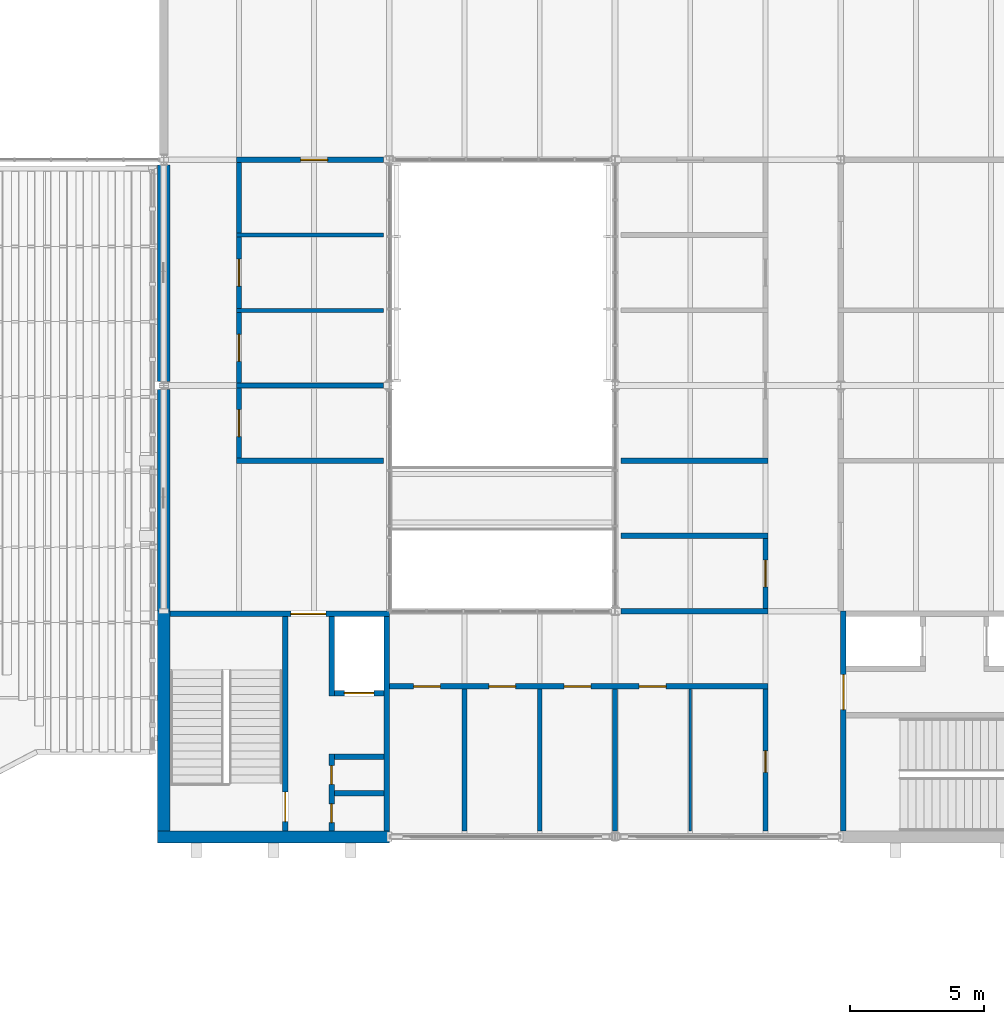
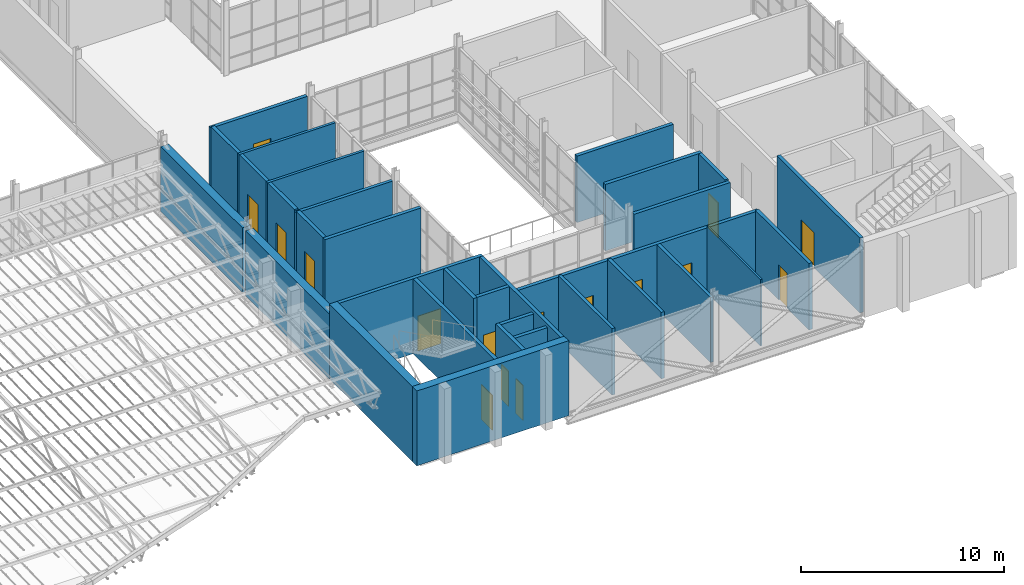
# One storey, part 88 of 129: 32 walls, 16 doors, 16 openings.
"""IFC4 building model written with IfcOpenShell, lengths in metres."""

from ifc_helpers import new_model, si_unit, direction, frame, frame_2d, origin, place, context, subcontext, project, spatial, rectangle, extrude, material, layer, layer_set, type_object, element, fill, save


model = new_model("IFC4")

# Units and contexts
model_context = context("Model", 3, precision=1e-05, world=origin(), true_north=direction((0.0, 1.0)))
body_context = subcontext(model_context, "Body", "Model", "MODEL_VIEW")
ifc_project = project(units=[si_unit("LENGTHUNIT", "METRE"), si_unit("AREAUNIT", "SQUARE_METRE"), si_unit("VOLUMEUNIT", "CUBIC_METRE"), si_unit("PLANEANGLEUNIT", "RADIAN"), si_unit("MASSUNIT", "GRAM", prefix="KILO")], contexts=[model_context])

# Site, building, storey
site_placement = place(None, origin())
site = spatial("IfcSite", under=ifc_project, at=site_placement, CompositionType="ELEMENT")
building_placement = place(site_placement, origin())
building = spatial("IfcBuilding", under=site, at=building_placement, Name="Ardhachandra Cancer Care Centre", CompositionType="ELEMENT")
storey_placement = place(building_placement, frame((0.0, 0.0, 4.5)))
storey = spatial("IfcBuildingStorey", under=building, at=storey_placement, Name="L01", CompositionType="ELEMENT", Elevation=4.5)

# Walls
ifc_material_1 = material(Name="Double-stud gypsum board partition with mineral wool")
ifc_layer_1 = layer(ifc_material_1, 0.179931640625)
ifc_layer_set_1 = layer_set([ifc_layer_1], Name="Double-stud gypsum board partition with mineral wool")
wall_type_1 = type_object("IfcWallType", Name="ACOUSTIC PARTITION 180", PredefinedType="PARTITIONING", material=ifc_layer_set_1)
wall_1_placement = place(storey_placement, frame((114.300048828125, 46.199951171875, 0.0), z_axis=(0.0, 0.0, 1.0), x_axis=(1.0, 0.0, 0.0)))
element("IfcWall", 1, at=wall_1_placement, inside=storey, type_object=wall_type_1, Name="R/wall/L01/h0046200_0114300", PredefinedType="PARTITIONING", context=body_context, shape_type="SweptSolid", body=[
    extrude(rectangle(XDim=5.474853515625, YDim=0.179931640625, at=frame_2d((2.7373046875, 0.0))), origin(), (0.0, 0.0, 1.0), 3.89990234375),
])
for number, where, z_axis, x_axis, name in (
    (2, (122.800048828125, 29.625, 0.0), (0.0, 0.0, 1.0), (0.0, 1.0, 0.0), "R/wall/L01/v0122800_0029625"),
    (3, (125.60009765625, 29.625, 0.0), (0.0, 0.0, 1.0), (0.0, 1.0, 0.0), "R/wall/L01/v0125600_0029625"),
):
    element("IfcWall", number, at=place(storey_placement, frame(where, z_axis=z_axis, x_axis=x_axis)), inside=storey, type_object=wall_type_1, Name=name, PredefinedType="PARTITIONING", context=body_context, shape_type="SweptSolid", body=[
        extrude(rectangle(XDim=5.27490234375, YDim=0.179931640625, at=frame_2d((2.637451171875, 0.0))), origin(), (0.0, 0.0, 1.0), 3.99609375),
    ])
wall_2_placement = place(storey_placement, frame((128.39990234375, 29.625, 0.0), z_axis=(0.0, 0.0, 1.0), x_axis=(0.0, 1.0, 0.0)))
element("IfcWall", 4, at=wall_2_placement, inside=storey, type_object=wall_type_1, Name="R/wall/L01/v0128400_0029625", PredefinedType="PARTITIONING", context=body_context, shape_type="SweptSolid", body=[
    extrude(rectangle(XDim=5.27490234375, YDim=0.179931640625, at=frame_2d((2.637451171875, 0.0))), origin(), (0.0, 0.0, 1.0), 3.89990234375),
])
ifc_material_2 = material(Name="Brick masonry (clay brick, cement mortar) with mineral wool cavity insulation", Category="masonry")
ifc_layer_2 = layer(ifc_material_2, 0.449951171875)
ifc_layer_set_2 = layer_set([ifc_layer_2], Name="Brick masonry (clay brick, cement mortar) with mineral wool cavity insulation")
wall_type_2 = type_object("IfcWallType", Name="Brick wall 450", PredefinedType="SOLIDWALL", material=ifc_layer_set_2)
wall_3_placement = place(storey_placement, frame((111.60009765625, 37.800048828125, 0.0), z_axis=(0.0, 0.0, 1.0), x_axis=(0.0, 1.0, 0.0)))
element("IfcWall", 5, at=wall_3_placement, inside=storey, type_object=wall_type_2, Name="E/wall/L01/w/0111600_0037800", PredefinedType="SOLIDWALL", context=body_context, shape_type="SweptSolid", body=[
    extrude(rectangle(XDim=8.2548828125, YDim=0.449951171875, at=frame_2d((4.12744140625, 0.0))), origin(), (0.0, 0.0, 1.0), 3.885986328125),
])
wall_4_placement = place(storey_placement, frame((111.60009765625, 46.344970703125, 0.0), z_axis=(0.0, 0.0, 1.0), x_axis=(0.0, 1.0, 0.0)))
element("IfcWall", 6, at=wall_4_placement, inside=storey, type_object=wall_type_2, Name="E/wall/L01/w/0111600_0046200", PredefinedType="SOLIDWALL", context=body_context, shape_type="SweptSolid", body=[
    extrude(rectangle(XDim=8.054931640625, YDim=0.449951171875, at=frame_2d((4.02734375, 0.0))), origin(), (0.0, 0.0, 1.0), 3.885986328125),
])

# Wall, openings, doors
ifc_material_3 = material(Name="Gypsum board corridor partition on steel studs", Category="steel")
ifc_layer_3 = layer(ifc_material_3, 0.199951171875)
ifc_layer_set_3 = layer_set([ifc_layer_3], Name="Gypsum board corridor partition on steel studs")
wall_type_3 = type_object("IfcWallType", Name="CORRIDOR WALL 200", PredefinedType="PARTITIONING", material=ifc_layer_set_3)
wall_5_placement = place(storey_placement, frame((120.0, 35.0, 0.0), z_axis=(0.0, 0.0, 1.0), x_axis=(1.0, 0.0, 0.0)))
wall_5 = element("IfcWall", 7, at=wall_5_placement, inside=storey, type_object=wall_type_3, Name="R/wall/L01/h0035000_0120000", PredefinedType="PARTITIONING", context=body_context, shape_type="SweptSolid", body=[
    extrude(rectangle(XDim=14.10009765625, YDim=0.199951171875, at=frame_2d((7.050048828125, 0.0))), origin(), (0.0, 0.0, 1.0), 3.89990234375),
])
opening_1_placement = place(wall_5_placement, frame((0.89990234375, 0.0, 0.0)))
opening_1 = element("IfcOpeningElement", 8, at=opening_1_placement, cuts=wall_5, Name="Opening L01-0001", PredefinedType="OPENING", context=body_context, shape_type="SweptSolid", body=[
    extrude(rectangle(XDim=1.0, YDim=2.10009765625, at=frame_2d((0.5, 1.050048828125))), frame((0.0, 0.10986328125, 0.0), z_axis=(0.0, -1.0, 0.0), x_axis=(1.0, 0.0, 0.0)), (0.0, 0.0, 1.0), 0.219970703125),
])
opening_2_placement = place(wall_5_placement, frame((3.699951171875, 0.0, 0.0)))
opening_2 = element("IfcOpeningElement", 9, at=opening_2_placement, cuts=wall_5, Name="Opening L01-0002", PredefinedType="OPENING", context=body_context, shape_type="SweptSolid", body=[
    extrude(rectangle(XDim=1.0, YDim=2.10009765625, at=frame_2d((0.5, 1.050048828125))), frame((0.0, 0.10986328125, 0.0), z_axis=(0.0, -1.0, 0.0), x_axis=(1.0, 0.0, 0.0)), (0.0, 0.0, 1.0), 0.219970703125),
])
opening_3_placement = place(wall_5_placement, frame((6.5, 0.0, 0.0)))
opening_3 = element("IfcOpeningElement", 10, at=opening_3_placement, cuts=wall_5, Name="Opening L01-0003", PredefinedType="OPENING", context=body_context, shape_type="SweptSolid", body=[
    extrude(rectangle(XDim=1.0, YDim=2.10009765625, at=frame_2d((0.5, 1.050048828125))), frame((0.0, 0.10986328125, 0.0), z_axis=(0.0, -1.0, 0.0), x_axis=(1.0, 0.0, 0.0)), (0.0, 0.0, 1.0), 0.219970703125),
])
opening_4_placement = place(wall_5_placement, frame((9.300048828125, 0.0, 0.0)))
opening_4 = element("IfcOpeningElement", 11, at=opening_4_placement, cuts=wall_5, Name="Opening L01-0004", PredefinedType="OPENING", context=body_context, shape_type="SweptSolid", body=[
    extrude(rectangle(XDim=1.0, YDim=2.10009765625, at=frame_2d((0.5, 1.050048828125))), frame((0.0, 0.10986328125, 0.0), z_axis=(0.0, -1.0, 0.0), x_axis=(1.0, 0.0, 0.0)), (0.0, 0.0, 1.0), 0.219970703125),
])
ifc_material_4 = material(Name="Timber fire door with smoke seals", Category="wood")
door_type_1 = type_object("IfcDoorType", Name="FIRE DOOR SINGLE 1000x2100 FD30S", OperationType="NOTDEFINED", PredefinedType="DOOR", material=ifc_material_4)
door_1_placement = place(opening_1_placement, origin())
door_1 = element("IfcDoor", 12, at=door_1_placement, inside=storey, type_object=door_type_1, Name="Door L01-0001", OperationType="SINGLE_SWING_LEFT", OverallHeight=2.10009765625, OverallWidth=1.0, PredefinedType="DOOR", context=body_context, shape_type="SweptSolid", body=[
    extrude(rectangle(XDim=1.0, YDim=2.10009765625, at=frame_2d((0.5, 1.050048828125))), frame((0.0, 0.02490234375, 0.0), z_axis=(0.0, -1.0, 0.0), x_axis=(1.0, 0.0, 0.0)), (0.0, 0.0, 1.0), 0.050048828125),
])
fill(opening_1, door_1)
door_2_placement = place(opening_2_placement, origin())
door_2 = element("IfcDoor", 13, at=door_2_placement, inside=storey, type_object=door_type_1, Name="Door L01-0002", OperationType="SINGLE_SWING_LEFT", OverallHeight=2.10009765625, OverallWidth=1.0, PredefinedType="DOOR", context=body_context, shape_type="SweptSolid", body=[
    extrude(rectangle(XDim=1.0, YDim=2.10009765625, at=frame_2d((0.5, 1.050048828125))), frame((0.0, 0.02490234375, 0.0), z_axis=(0.0, -1.0, 0.0), x_axis=(1.0, 0.0, 0.0)), (0.0, 0.0, 1.0), 0.050048828125),
])
fill(opening_2, door_2)
door_3_placement = place(opening_3_placement, origin())
door_3 = element("IfcDoor", 14, at=door_3_placement, inside=storey, type_object=door_type_1, Name="Door L01-0003", OperationType="SINGLE_SWING_LEFT", OverallHeight=2.10009765625, OverallWidth=1.0, PredefinedType="DOOR", context=body_context, shape_type="SweptSolid", body=[
    extrude(rectangle(XDim=1.0, YDim=2.10009765625, at=frame_2d((0.5, 1.050048828125))), frame((0.0, 0.02490234375, 0.0), z_axis=(0.0, -1.0, 0.0), x_axis=(1.0, 0.0, 0.0)), (0.0, 0.0, 1.0), 0.050048828125),
])
fill(opening_3, door_3)
door_4_placement = place(opening_4_placement, origin())
door_4 = element("IfcDoor", 15, at=door_4_placement, inside=storey, type_object=door_type_1, Name="Door L01-0004", OperationType="SINGLE_SWING_RIGHT", OverallHeight=2.10009765625, OverallWidth=1.0, PredefinedType="DOOR", context=body_context, shape_type="SweptSolid", body=[
    extrude(rectangle(XDim=1.0, YDim=2.10009765625, at=frame_2d((0.5, 1.050048828125))), frame((0.0, 0.02490234375, 0.0), z_axis=(0.0, -1.0, 0.0), x_axis=(1.0, 0.0, 0.0)), (0.0, 0.0, 1.0), 0.050048828125),
])
fill(opening_4, door_4)

# Walls
wall_6_placement = place(storey_placement, frame((128.625, 37.800048828125, 0.0), z_axis=(0.0, 0.0, 1.0), x_axis=(1.0, 0.0, 0.0)))
element("IfcWall", 16, at=wall_6_placement, inside=storey, type_object=wall_type_3, Name="R/wall/L01/h0037800_0128625", PredefinedType="PARTITIONING", context=body_context, shape_type="SweptSolid", body=[
    extrude(rectangle(XDim=5.47509765625, YDim=0.199951171875, at=frame_2d((2.737548828125, 0.0))), origin(), (0.0, 0.0, 1.0), 3.89990234375),
])
wall_7_placement = place(storey_placement, frame((128.625, 40.60009765625, 0.0), z_axis=(0.0, 0.0, 1.0), x_axis=(1.0, 0.0, 0.0)))
element("IfcWall", 17, at=wall_7_placement, inside=storey, type_object=wall_type_3, Name="R/wall/L01/h0040600_0128625", PredefinedType="PARTITIONING", context=body_context, shape_type="SweptSolid", body=[
    extrude(rectangle(XDim=5.47509765625, YDim=0.199951171875, at=frame_2d((2.737548828125, 0.0))), origin(), (0.0, 0.0, 1.0), 3.99609375),
])
wall_8_placement = place(storey_placement, frame((114.300048828125, 43.39990234375, 0.0), z_axis=(0.0, 0.0, 1.0), x_axis=(1.0, 0.0, 0.0)))
element("IfcWall", 18, at=wall_8_placement, inside=storey, type_object=wall_type_3, Name="R/wall/L01/h0043400_0114300", PredefinedType="PARTITIONING", context=body_context, shape_type="SweptSolid", body=[
    extrude(rectangle(XDim=5.474853515625, YDim=0.199951171875, at=frame_2d((2.7373046875, 0.0))), origin(), (0.0, 0.0, 1.0), 3.99609375),
])
wall_9_placement = place(storey_placement, frame((128.625, 43.39990234375, 0.0), z_axis=(0.0, 0.0, 1.0), x_axis=(1.0, 0.0, 0.0)))
element("IfcWall", 19, at=wall_9_placement, inside=storey, type_object=wall_type_3, Name="R/wall/L01/h0043400_0128625", PredefinedType="PARTITIONING", context=body_context, shape_type="SweptSolid", body=[
    extrude(rectangle(XDim=5.47509765625, YDim=0.199951171875, at=frame_2d((2.737548828125, 0.0))), origin(), (0.0, 0.0, 1.0), 3.99609375),
])

# Wall, opening, door
wall_10_placement = place(storey_placement, frame((114.300048828125, 54.60009765625, 0.0), z_axis=(0.0, 0.0, 1.0), x_axis=(1.0, 0.0, 0.0)))
wall_10 = element("IfcWall", 20, at=wall_10_placement, inside=storey, type_object=wall_type_3, Name="R/wall/L01/h0054600_0114300", PredefinedType="PARTITIONING", context=body_context, shape_type="SweptSolid", body=[
    extrude(rectangle(XDim=5.474853515625, YDim=0.199951171875, at=frame_2d((2.7373046875, 0.0))), origin(), (0.0, 0.0, 1.0), 3.89990234375),
])
opening_5_placement = place(wall_10_placement, frame((2.39990234375, 0.0, 0.0)))
opening_5 = element("IfcOpeningElement", 21, at=opening_5_placement, cuts=wall_10, Name="Opening L01-0005", PredefinedType="OPENING", context=body_context, shape_type="SweptSolid", body=[
    extrude(rectangle(XDim=1.0, YDim=2.10009765625, at=frame_2d((0.5, 1.050048828125))), frame((0.0, 0.10986328125, 0.0), z_axis=(0.0, -1.0, 0.0), x_axis=(1.0, 0.0, 0.0)), (0.0, 0.0, 1.0), 0.219970703125),
])
door_5_placement = place(opening_5_placement, origin())
door_5 = element("IfcDoor", 22, at=door_5_placement, inside=storey, type_object=door_type_1, Name="Door L01-0005", OperationType="SINGLE_SWING_LEFT", OverallHeight=2.10009765625, OverallWidth=1.0, PredefinedType="DOOR", context=body_context, shape_type="SweptSolid", body=[
    extrude(rectangle(XDim=1.0, YDim=2.10009765625, at=frame_2d((0.5, 1.050048828125))), frame((0.0, 0.02490234375, 0.0), z_axis=(0.0, -1.0, 0.0), x_axis=(1.0, 0.0, 0.0)), (0.0, 0.0, 1.0), 0.050048828125),
])
fill(opening_5, door_5)

wall_11_placement = place(storey_placement, frame((114.39990234375, 43.5, 0.0), z_axis=(0.0, 0.0, 1.0), x_axis=(0.0, 1.0, 0.0)))
wall_11 = element("IfcWall", 23, at=wall_11_placement, inside=storey, type_object=wall_type_3, Name="R/wall/L01/v0114400_0043500", PredefinedType="PARTITIONING", context=body_context, shape_type="SweptSolid", body=[
    extrude(rectangle(XDim=2.610107421875, YDim=0.199951171875, at=frame_2d((1.30517578125, 0.0))), origin(), (0.0, 0.0, 1.0), 3.99609375),
])
opening_6_placement = place(wall_11_placement, frame((0.800048828125, 0.0, 0.0)))
opening_6 = element("IfcOpeningElement", 24, at=opening_6_placement, cuts=wall_11, Name="Opening L01-0069", PredefinedType="OPENING", context=body_context, shape_type="SweptSolid", body=[
    extrude(rectangle(XDim=1.0, YDim=2.10009765625, at=frame_2d((0.5, 1.050048828125))), frame((0.0, 0.10986328125, 0.0), z_axis=(0.0, -1.0, 0.0), x_axis=(1.0, 0.0, 0.0)), (0.0, 0.0, 1.0), 0.219970703125),
])
door_6_placement = place(opening_6_placement, origin())
door_6 = element("IfcDoor", 25, at=door_6_placement, inside=storey, type_object=door_type_1, Name="Door L01-0069", OperationType="SINGLE_SWING_LEFT", OverallHeight=2.10009765625, OverallWidth=1.0, PredefinedType="DOOR", context=body_context, shape_type="SweptSolid", body=[
    extrude(rectangle(XDim=1.0, YDim=2.10009765625, at=frame_2d((0.5, 1.050048828125))), frame((0.0, 0.02490234375, 0.0), z_axis=(0.0, -1.0, 0.0), x_axis=(1.0, 0.0, 0.0)), (0.0, 0.0, 1.0), 0.050048828125),
])
fill(opening_6, door_6)

wall_12_placement = place(storey_placement, frame((114.39990234375, 46.2900390625, 0.0), z_axis=(0.0, 0.0, 1.0), x_axis=(0.0, 1.0, 0.0)))
wall_12 = element("IfcWall", 26, at=wall_12_placement, inside=storey, type_object=wall_type_3, Name="R/wall/L01/v0114400_0046290", PredefinedType="PARTITIONING", context=body_context, shape_type="SweptSolid", body=[
    extrude(rectangle(XDim=2.635009765625, YDim=0.199951171875, at=frame_2d((1.3173828125, 0.0))), origin(), (0.0, 0.0, 1.0), 3.99609375),
])
opening_7_placement = place(wall_12_placement, frame((0.81005859375, 0.0, 0.0)))
opening_7 = element("IfcOpeningElement", 27, at=opening_7_placement, cuts=wall_12, Name="Opening L01-0070", PredefinedType="OPENING", context=body_context, shape_type="SweptSolid", body=[
    extrude(rectangle(XDim=1.0, YDim=2.10009765625, at=frame_2d((0.5, 1.050048828125))), frame((0.0, 0.10986328125, 0.0), z_axis=(0.0, -1.0, 0.0), x_axis=(1.0, 0.0, 0.0)), (0.0, 0.0, 1.0), 0.219970703125),
])
door_7_placement = place(opening_7_placement, origin())
door_7 = element("IfcDoor", 28, at=door_7_placement, inside=storey, type_object=door_type_1, Name="Door L01-0070", OperationType="SINGLE_SWING_LEFT", OverallHeight=2.10009765625, OverallWidth=1.0, PredefinedType="DOOR", context=body_context, shape_type="SweptSolid", body=[
    extrude(rectangle(XDim=1.0, YDim=2.10009765625, at=frame_2d((0.5, 1.050048828125))), frame((0.0, 0.02490234375, 0.0), z_axis=(0.0, -1.0, 0.0), x_axis=(1.0, 0.0, 0.0)), (0.0, 0.0, 1.0), 0.050048828125),
])
fill(opening_7, door_7)

wall_13_placement = place(storey_placement, frame((114.39990234375, 49.074951171875, 0.0), z_axis=(0.0, 0.0, 1.0), x_axis=(0.0, 1.0, 0.0)))
wall_13 = element("IfcWall", 29, at=wall_13_placement, inside=storey, type_object=wall_type_3, Name="R/wall/L01/v0114400_0049075", PredefinedType="PARTITIONING", context=body_context, shape_type="SweptSolid", body=[
    extrude(rectangle(XDim=2.650146484375, YDim=0.199951171875, at=frame_2d((1.3251953125, 0.0))), origin(), (0.0, 0.0, 1.0), 3.99609375),
])
opening_8_placement = place(wall_13_placement, frame((0.824951171875, 0.0, 0.0)))
opening_8 = element("IfcOpeningElement", 30, at=opening_8_placement, cuts=wall_13, Name="Opening L01-0071", PredefinedType="OPENING", context=body_context, shape_type="SweptSolid", body=[
    extrude(rectangle(XDim=1.0, YDim=2.10009765625, at=frame_2d((0.5, 1.050048828125))), frame((0.0, 0.10986328125, 0.0), z_axis=(0.0, -1.0, 0.0), x_axis=(1.0, 0.0, 0.0)), (0.0, 0.0, 1.0), 0.219970703125),
])
door_8_placement = place(opening_8_placement, origin())
door_8 = element("IfcDoor", 31, at=door_8_placement, inside=storey, type_object=door_type_1, Name="Door L01-0071", OperationType="SINGLE_SWING_LEFT", OverallHeight=2.10009765625, OverallWidth=1.0, PredefinedType="DOOR", context=body_context, shape_type="SweptSolid", body=[
    extrude(rectangle(XDim=1.0, YDim=2.10009765625, at=frame_2d((0.5, 1.050048828125))), frame((0.0, 0.02490234375, 0.0), z_axis=(0.0, -1.0, 0.0), x_axis=(1.0, 0.0, 0.0)), (0.0, 0.0, 1.0), 0.050048828125),
])
fill(opening_8, door_8)

# Wall
wall_14_placement = place(storey_placement, frame((114.39990234375, 51.875, 0.0), z_axis=(0.0, 0.0, 1.0), x_axis=(0.0, 1.0, 0.0)))
element("IfcWall", 32, at=wall_14_placement, inside=storey, type_object=wall_type_3, Name="R/wall/L01/v0114400_0051875", PredefinedType="PARTITIONING", context=body_context, shape_type="SweptSolid", body=[
    extrude(rectangle(XDim=2.625, YDim=0.199951171875, at=frame_2d((1.3125, 0.0))), origin(), (0.0, 0.0, 1.0), 3.99609375),
])

# Wall, opening, door
wall_15_placement = place(storey_placement, frame((134.0, 29.625, 0.0), z_axis=(0.0, 0.0, 1.0), x_axis=(0.0, 1.0, 0.0)))
wall_15 = element("IfcWall", 33, at=wall_15_placement, inside=storey, type_object=wall_type_3, Name="R/wall/L01/v0134000_0029625", PredefinedType="PARTITIONING", context=body_context, shape_type="SweptSolid", body=[
    extrude(rectangle(XDim=5.27490234375, YDim=0.199951171875, at=frame_2d((2.637451171875, 0.0))), origin(), (0.0, 0.0, 1.0), 3.99609375),
])
opening_9_placement = place(wall_15_placement, frame((2.175048828125, 0.0, 0.0)))
opening_9 = element("IfcOpeningElement", 34, at=opening_9_placement, cuts=wall_15, Name="Opening L01-0077", PredefinedType="OPENING", context=body_context, shape_type="SweptSolid", body=[
    extrude(rectangle(XDim=0.800048828125, YDim=2.10009765625, at=frame_2d((0.39990234375, 1.050048828125))), frame((0.0, 0.10986328125, 0.0), z_axis=(0.0, -1.0, 0.0), x_axis=(1.0, 0.0, 0.0)), (0.0, 0.0, 1.0), 0.219970703125),
])
ifc_material_5 = material(Name="Timber flush fire door", Category="wood")
door_type_2 = type_object("IfcDoorType", Name="STORE DOOR 800x2100 FD30S", OperationType="NOTDEFINED", PredefinedType="DOOR", material=ifc_material_5)
door_9_placement = place(opening_9_placement, origin())
door_9 = element("IfcDoor", 35, at=door_9_placement, inside=storey, type_object=door_type_2, Name="Door L01-0077", OperationType="SINGLE_SWING_LEFT", OverallHeight=2.10009765625, OverallWidth=0.800048828125, PredefinedType="DOOR", context=body_context, shape_type="SweptSolid", body=[
    extrude(rectangle(XDim=0.800048828125, YDim=2.10009765625, at=frame_2d((0.39990234375, 1.050048828125))), frame((0.0, 0.02490234375, 0.0), z_axis=(0.0, -1.0, 0.0), x_axis=(1.0, 0.0, 0.0)), (0.0, 0.0, 1.0), 0.050048828125),
])
fill(opening_9, door_9)

wall_16_placement = place(storey_placement, frame((134.0, 37.89990234375, 0.0), z_axis=(0.0, 0.0, 1.0), x_axis=(0.0, 1.0, 0.0)))
wall_16 = element("IfcWall", 36, at=wall_16_placement, inside=storey, type_object=wall_type_3, Name="R/wall/L01/v0134000_0037900", PredefinedType="PARTITIONING", context=body_context, shape_type="SweptSolid", body=[
    extrude(rectangle(XDim=2.60009765625, YDim=0.199951171875, at=frame_2d((1.300048828125, 0.0))), origin(), (0.0, 0.0, 1.0), 3.99609375),
])
opening_10_placement = place(wall_16_placement, frame((0.800048828125, 0.0, 0.0)))
opening_10 = element("IfcOpeningElement", 37, at=opening_10_placement, cuts=wall_16, Name="Opening L01-0078", PredefinedType="OPENING", context=body_context, shape_type="SweptSolid", body=[
    extrude(rectangle(XDim=1.0, YDim=2.10009765625, at=frame_2d((0.5, 1.050048828125))), frame((0.0, 0.10986328125, 0.0), z_axis=(0.0, -1.0, 0.0), x_axis=(1.0, 0.0, 0.0)), (0.0, 0.0, 1.0), 0.219970703125),
])
door_10_placement = place(opening_10_placement, origin())
door_10 = element("IfcDoor", 38, at=door_10_placement, inside=storey, type_object=door_type_1, Name="Door L01-0078", OperationType="SINGLE_SWING_RIGHT", OverallHeight=2.10009765625, OverallWidth=1.0, PredefinedType="DOOR", context=body_context, shape_type="SweptSolid", body=[
    extrude(rectangle(XDim=1.0, YDim=2.10009765625, at=frame_2d((0.5, 1.050048828125))), frame((0.0, 0.02490234375, 0.0), z_axis=(0.0, -1.0, 0.0), x_axis=(1.0, 0.0, 0.0)), (0.0, 0.0, 1.0), 0.050048828125),
])
fill(opening_10, door_10)

# Walls
ifc_material_6 = material(Name="Concrete M40", Category="concrete")
ifc_layer_4 = layer(ifc_material_6, 0.449951171875)
ifc_layer_set_4 = layer_set([ifc_layer_4], Name="Concrete M40")
wall_type_4 = type_object("IfcWallType", Name="Core exterior wall RC 450", PredefinedType="SOLIDWALL", material=ifc_layer_set_4)
wall_17_placement = place(storey_placement, frame((111.375, 29.39990234375, 0.0), z_axis=(0.0, 0.0, 1.0), x_axis=(1.0, 0.0, 0.0)))
element("IfcWall", 39, at=wall_17_placement, inside=storey, type_object=wall_type_4, Name="Core wall K11 FAR", PredefinedType="SOLIDWALL", context=body_context, shape_type="SweptSolid", body=[
    extrude(rectangle(XDim=8.625, YDim=0.449951171875, at=frame_2d((4.3125, 0.0))), origin(), (0.0, 0.0, 1.0), 4.5),
])
wall_18_placement = place(storey_placement, frame((111.60009765625, 37.800048828125, 0.0), z_axis=(0.0, 0.0, 1.0), x_axis=(0.0, -1.0, 0.0)))
element("IfcWall", 40, at=wall_18_placement, inside=storey, type_object=wall_type_4, Name="Core wall K11 UW", PredefinedType="SOLIDWALL", context=body_context, shape_type="SweptSolid", body=[
    extrude(rectangle(XDim=8.175048828125, YDim=0.449951171875, at=frame_2d((4.08740234375, 0.0))), origin(), (0.0, 0.0, 1.0), 4.5),
])

# Wall, opening, door
ifc_material_7 = material(Name="Concrete M40", Category="concrete")
ifc_layer_5 = layer(ifc_material_7, 0.199951171875)
ifc_layer_set_5 = layer_set([ifc_layer_5], Name="Concrete M40")
wall_type_5 = type_object("IfcWallType", Name="Core wall RC 200", PredefinedType="SOLIDWALL", material=ifc_layer_set_5)
wall_19_placement = place(storey_placement, frame((136.89990234375, 29.625, 0.0), z_axis=(0.0, 0.0, 1.0), x_axis=(0.0, 1.0, 0.0)))
wall_19 = element("IfcWall", 41, at=wall_19_placement, inside=storey, type_object=wall_type_5, Name="Core wall K9 ENT", PredefinedType="SOLIDWALL", context=body_context, shape_type="SweptSolid", body=[
    extrude(rectangle(XDim=8.175048828125, YDim=0.199951171875, at=frame_2d((4.08740234375, 0.0))), origin(), (0.0, 0.0, 1.0), 4.5),
])
opening_11_placement = place(wall_19_placement, frame((4.512451171875, 0.0, 0.0)))
opening_11 = element("IfcOpeningElement", 42, at=opening_11_placement, cuts=wall_19, Name="Opening L01-K09-1", PredefinedType="OPENING", context=body_context, shape_type="SweptSolid", body=[
    extrude(rectangle(XDim=1.300048828125, YDim=2.10009765625, at=frame_2d((0.64990234375, 1.050048828125))), frame((0.0, 0.10986328125, 0.0), z_axis=(0.0, -1.0, 0.0), x_axis=(1.0, 0.0, 0.0)), (0.0, 0.0, 1.0), 0.219970703125),
])
ifc_material_8 = material(Name="Steel door set", Category="steel")
door_type_3 = type_object("IfcDoorType", Name="Core entry double door 1300x2100 FD60", OperationType="DOUBLE_DOOR_DOUBLE_SWING", PredefinedType="DOOR", material=ifc_material_8)
door_11_placement = place(opening_11_placement, origin())
door_11 = element("IfcDoor", 43, at=door_11_placement, inside=storey, type_object=door_type_3, Name="Core entry door", OperationType="DOUBLE_DOOR_DOUBLE_SWING", OverallHeight=2.10009765625, OverallWidth=1.300048828125, PredefinedType="DOOR", context=body_context, shape_type="SweptSolid", body=[
    extrude(rectangle(XDim=1.300048828125, YDim=2.10009765625, at=frame_2d((0.64990234375, 1.050048828125))), frame((0.0, 0.02490234375, 0.0), z_axis=(0.0, -1.0, 0.0), x_axis=(1.0, 0.0, 0.0)), (0.0, 0.0, 1.0), 0.050048828125),
])
fill(opening_11, door_11)

wall_20_placement = place(storey_placement, frame((111.824951171875, 37.699951171875, 0.0), z_axis=(0.0, 0.0, 1.0), x_axis=(1.0, 0.0, 0.0)))
wall_20 = element("IfcWall", 44, at=wall_20_placement, inside=storey, type_object=wall_type_5, Name="Core wall K11 ENT", PredefinedType="SOLIDWALL", context=body_context, shape_type="SweptSolid", body=[
    extrude(rectangle(XDim=8.175048828125, YDim=0.199951171875, at=frame_2d((4.08740234375, 0.0))), origin(), (0.0, 0.0, 1.0), 4.5),
])
opening_12_placement = place(wall_20_placement, frame((4.512451171875, 0.0, 0.0)))
opening_12 = element("IfcOpeningElement", 45, at=opening_12_placement, cuts=wall_20, Name="Opening L01-K11-1", PredefinedType="OPENING", context=body_context, shape_type="SweptSolid", body=[
    extrude(rectangle(XDim=1.300048828125, YDim=2.10009765625, at=frame_2d((0.64990234375, 1.050048828125))), frame((0.0, 0.10986328125, 0.0), z_axis=(0.0, -1.0, 0.0), x_axis=(1.0, 0.0, 0.0)), (0.0, 0.0, 1.0), 0.219970703125),
])
door_12_placement = place(opening_12_placement, origin())
door_12 = element("IfcDoor", 46, at=door_12_placement, inside=storey, type_object=door_type_3, Name="Core entry door", OperationType="DOUBLE_DOOR_DOUBLE_SWING", OverallHeight=2.10009765625, OverallWidth=1.300048828125, PredefinedType="DOOR", context=body_context, shape_type="SweptSolid", body=[
    extrude(rectangle(XDim=1.300048828125, YDim=2.10009765625, at=frame_2d((0.64990234375, 1.050048828125))), frame((0.0, 0.02490234375, 0.0), z_axis=(0.0, -1.0, 0.0), x_axis=(1.0, 0.0, 0.0)), (0.0, 0.0, 1.0), 0.050048828125),
])
fill(opening_12, door_12)

# Wall
wall_21_placement = place(storey_placement, frame((119.89990234375, 37.60009765625, 0.0), z_axis=(0.0, 0.0, 1.0), x_axis=(0.0, -1.0, 0.0)))
element("IfcWall", 47, at=wall_21_placement, inside=storey, type_object=wall_type_5, Name="Core wall K11 UE", PredefinedType="SOLIDWALL", context=body_context, shape_type="SweptSolid", body=[
    extrude(rectangle(XDim=7.97509765625, YDim=0.199951171875, at=frame_2d((3.987548828125, 0.0))), origin(), (0.0, 0.0, 1.0), 4.5),
])

# Wall, opening, door
wall_22_placement = place(storey_placement, frame((116.125, 37.60009765625, 0.0), z_axis=(0.0, 0.0, 1.0), x_axis=(0.0, -1.0, 0.0)))
wall_22 = element("IfcWall", 48, at=wall_22_placement, inside=storey, type_object=wall_type_5, Name="Core wall K11 P1", PredefinedType="SOLIDWALL", context=body_context, shape_type="SweptSolid", body=[
    extrude(rectangle(XDim=7.97509765625, YDim=0.199951171875, at=frame_2d((3.987548828125, 0.0))), origin(), (0.0, 0.0, 1.0), 4.5),
])
opening_13_placement = place(wall_22_placement, frame((6.53759765625, 0.0, 0.0)))
opening_13 = element("IfcOpeningElement", 49, at=opening_13_placement, cuts=wall_22, Name="Opening L01-K11-2", PredefinedType="OPENING", context=body_context, shape_type="SweptSolid", body=[
    extrude(rectangle(XDim=1.10009765625, YDim=2.10009765625, at=frame_2d((0.550048828125, 1.050048828125))), frame((0.0, 0.10986328125, 0.0), z_axis=(0.0, -1.0, 0.0), x_axis=(1.0, 0.0, 0.0)), (0.0, 0.0, 1.0), 0.219970703125),
])
ifc_material_9 = material(Name="Steel door set", Category="steel")
door_type_4 = type_object("IfcDoorType", Name="Stair door 1100x2100 FD60S", OperationType="NOTDEFINED", PredefinedType="DOOR", material=ifc_material_9)
door_13_placement = place(opening_13_placement, origin())
door_13 = element("IfcDoor", 50, at=door_13_placement, inside=storey, type_object=door_type_4, Name="Stair door", OperationType="SINGLE_SWING_LEFT", OverallHeight=2.10009765625, OverallWidth=1.10009765625, PredefinedType="DOOR", context=body_context, shape_type="SweptSolid", body=[
    extrude(rectangle(XDim=1.10009765625, YDim=2.10009765625, at=frame_2d((0.550048828125, 1.050048828125))), frame((0.0, 0.02490234375, 0.0), z_axis=(0.0, -1.0, 0.0), x_axis=(1.0, 0.0, 0.0)), (0.0, 0.0, 1.0), 0.050048828125),
])
fill(opening_13, door_13)

# Wall
wall_23_placement = place(storey_placement, frame((117.85009765625, 37.60009765625, 0.0), z_axis=(0.0, 0.0, 1.0), x_axis=(0.0, -1.0, 0.0)))
element("IfcWall", 51, at=wall_23_placement, inside=storey, type_object=wall_type_5, Name="Core wall K11 P2A", PredefinedType="SOLIDWALL", context=body_context, shape_type="SweptSolid", body=[
    extrude(rectangle(XDim=2.9501953125, YDim=0.199951171875, at=frame_2d((1.47509765625, 0.0))), origin(), (0.0, 0.0, 1.0), 4.5),
])

# Wall, openings, doors
wall_24_placement = place(storey_placement, frame((117.85009765625, 32.47509765625, 0.0), z_axis=(0.0, 0.0, 1.0), x_axis=(0.0, -1.0, 0.0)))
wall_24 = element("IfcWall", 52, at=wall_24_placement, inside=storey, type_object=wall_type_5, Name="Core wall K11 P2B", PredefinedType="SOLIDWALL", context=body_context, shape_type="SweptSolid", body=[
    extrude(rectangle(XDim=2.85009765625, YDim=0.199951171875, at=frame_2d((1.425048828125, 0.0))), origin(), (0.0, 0.0, 1.0), 4.300048828125),
])
opening_14_placement = place(wall_24_placement, frame((0.425048828125, 0.0, 0.0)))
opening_14 = element("IfcOpeningElement", 53, at=opening_14_placement, cuts=wall_24, Name="Opening L01-K11-4", PredefinedType="OPENING", context=body_context, shape_type="SweptSolid", body=[
    extrude(rectangle(XDim=0.699951171875, YDim=2.10009765625, at=frame_2d((0.35009765625, 1.050048828125))), frame((0.0, 0.10986328125, 0.0), z_axis=(0.0, -1.0, 0.0), x_axis=(1.0, 0.0, 0.0)), (0.0, 0.0, 1.0), 0.219970703125),
])
opening_15_placement = place(wall_24_placement, frame((1.85009765625, 0.0, 0.0)))
opening_15 = element("IfcOpeningElement", 54, at=opening_15_placement, cuts=wall_24, Name="Opening L01-K11-5", PredefinedType="OPENING", context=body_context, shape_type="SweptSolid", body=[
    extrude(rectangle(XDim=0.699951171875, YDim=2.10009765625, at=frame_2d((0.35009765625, 1.050048828125))), frame((0.0, 0.10986328125, 0.0), z_axis=(0.0, -1.0, 0.0), x_axis=(1.0, 0.0, 0.0)), (0.0, 0.0, 1.0), 0.219970703125),
])
ifc_material_10 = material(Name="Steel door set", Category="steel")
door_type_5 = type_object("IfcDoorType", Name="Riser access door 700x2100 FD120S", OperationType="NOTDEFINED", PredefinedType="DOOR", material=ifc_material_10)
door_14_placement = place(opening_14_placement, origin())
door_14 = element("IfcDoor", 55, at=door_14_placement, inside=storey, type_object=door_type_5, Name="Riser access door", OperationType="SINGLE_SWING_RIGHT", OverallHeight=2.10009765625, OverallWidth=0.699951171875, PredefinedType="DOOR", context=body_context, shape_type="SweptSolid", body=[
    extrude(rectangle(XDim=0.699951171875, YDim=2.10009765625, at=frame_2d((0.35009765625, 1.050048828125))), frame((0.0, 0.02490234375, 0.0), z_axis=(0.0, -1.0, 0.0), x_axis=(1.0, 0.0, 0.0)), (0.0, 0.0, 1.0), 0.050048828125),
])
fill(opening_14, door_14)
door_15_placement = place(opening_15_placement, origin())
door_15 = element("IfcDoor", 56, at=door_15_placement, inside=storey, type_object=door_type_5, Name="Riser access door", OperationType="SINGLE_SWING_LEFT", OverallHeight=2.10009765625, OverallWidth=0.699951171875, PredefinedType="DOOR", context=body_context, shape_type="SweptSolid", body=[
    extrude(rectangle(XDim=0.699951171875, YDim=2.10009765625, at=frame_2d((0.35009765625, 1.050048828125))), frame((0.0, 0.02490234375, 0.0), z_axis=(0.0, -1.0, 0.0), x_axis=(1.0, 0.0, 0.0)), (0.0, 0.0, 1.0), 0.050048828125),
])
fill(opening_15, door_15)

# Wall, opening, door
wall_25_placement = place(storey_placement, frame((117.949951171875, 34.75, 0.0), z_axis=(0.0, 0.0, 1.0), x_axis=(1.0, 0.0, 0.0)))
wall_25 = element("IfcWall", 57, at=wall_25_placement, inside=storey, type_object=wall_type_5, Name="Core wall K11 W1", PredefinedType="SOLIDWALL", context=body_context, shape_type="SweptSolid", body=[
    extrude(rectangle(XDim=1.85009765625, YDim=0.199951171875, at=frame_2d((0.925048828125, 0.0))), origin(), (0.0, 0.0, 1.0), 4.5),
])
opening_16_placement = place(wall_25_placement, frame((0.375, 0.0, 0.0)))
opening_16 = element("IfcOpeningElement", 58, at=opening_16_placement, cuts=wall_25, Name="Opening L01-K11-3", PredefinedType="OPENING", context=body_context, shape_type="SweptSolid", body=[
    extrude(rectangle(XDim=1.10009765625, YDim=2.10009765625, at=frame_2d((0.550048828125, 1.050048828125))), frame((0.0, 0.10986328125, 0.0), z_axis=(0.0, -1.0, 0.0), x_axis=(1.0, 0.0, 0.0)), (0.0, 0.0, 1.0), 0.219970703125),
])
ifc_material_11 = material(Name="Stainless steel (grade 304)", Category="steel")
door_type_6 = type_object("IfcDoorType", Name="Lift landing door 1100x2100", OperationType="DOUBLE_DOOR_SLIDING", PredefinedType="DOOR", material=ifc_material_11)
door_16_placement = place(opening_16_placement, origin())
door_16 = element("IfcDoor", 59, at=door_16_placement, inside=storey, type_object=door_type_6, Name="Lift landing door LF-K11-1", OperationType="DOUBLE_DOOR_SLIDING", OverallHeight=2.10009765625, OverallWidth=1.10009765625, PredefinedType="DOOR", context=body_context, shape_type="SweptSolid", body=[
    extrude(rectangle(XDim=1.10009765625, YDim=2.10009765625, at=frame_2d((0.550048828125, 1.050048828125))), frame((0.0, 0.02490234375, 0.0), z_axis=(0.0, -1.0, 0.0), x_axis=(1.0, 0.0, 0.0)), (0.0, 0.0, 1.0), 0.050048828125),
])
fill(opening_16, door_16)

# Walls
for number, where, z_axis, x_axis, name in (
    (60, (117.949951171875, 32.375, 0.0), (0.0, 0.0, 1.0), (1.0, 0.0, 0.0), "Core wall K11 W2"),
    (61, (117.949951171875, 31.02490234375, 0.0), (0.0, 0.0, 1.0), (1.0, 0.0, 0.0), "Core wall K11 DIV"),
):
    element("IfcWall", number, at=place(storey_placement, frame(where, z_axis=z_axis, x_axis=x_axis)), inside=storey, type_object=wall_type_5, Name=name, PredefinedType="SOLIDWALL", context=body_context, shape_type="SweptSolid", body=[
        extrude(rectangle(XDim=1.85009765625, YDim=0.199951171875, at=frame_2d((0.925048828125, 0.0))), origin(), (0.0, 0.0, 1.0), 4.300048828125),
    ])
ifc_material_12 = material(Name="Gypsum board partition on steel studs", Category="steel")
ifc_layer_6 = layer(ifc_material_12, 0.14990234375)
ifc_layer_set_6 = layer_set([ifc_layer_6], Name="Gypsum board partition on steel studs")
wall_type_6 = type_object("IfcWallType", Name="PARTITION 150", PredefinedType="PARTITIONING", material=ifc_layer_set_6)
for number, where, z_axis, x_axis, name in (
    (62, (114.300048828125, 49.0, 0.0), (0.0, 0.0, 1.0), (1.0, 0.0, 0.0), "R/wall/L01/h0049000_0114300"),
    (63, (114.300048828125, 51.800048828125, 0.0), (0.0, 0.0, 1.0), (1.0, 0.0, 0.0), "R/wall/L01/h0051800_0114300"),
):
    element("IfcWall", number, at=place(storey_placement, frame(where, z_axis=z_axis, x_axis=x_axis)), inside=storey, type_object=wall_type_6, Name=name, PredefinedType="PARTITIONING", context=body_context, shape_type="SweptSolid", body=[
        extrude(rectangle(XDim=5.474853515625, YDim=0.14990234375, at=frame_2d((2.7373046875, 0.0))), origin(), (0.0, 0.0, 1.0), 3.99609375),
    ])
ifc_material_13 = material(Name="Concrete block masonry", Category="masonry")
ifc_layer_7 = layer(ifc_material_13, 0.10009765625)
ifc_layer_set_7 = layer_set([ifc_layer_7], Name="Concrete block masonry")
wall_type_7 = type_object("IfcWallType", Name="STORE PARTITION 100", PredefinedType="SOLIDWALL", material=ifc_layer_set_7)
wall_26_placement = place(storey_placement, frame((131.199951171875, 29.625, 0.0), z_axis=(0.0, 0.0, 1.0), x_axis=(0.0, 1.0, 0.0)))
element("IfcWall", 64, at=wall_26_placement, inside=storey, type_object=wall_type_7, Name="R/wall/L01/v0131200_0029625", PredefinedType="SOLIDWALL", context=body_context, shape_type="SweptSolid", body=[
    extrude(rectangle(XDim=5.27490234375, YDim=0.10009765625, at=frame_2d((2.637451171875, 0.0))), origin(), (0.0, 0.0, 1.0), 3.99609375),
])

save(model, "model.ifc")
